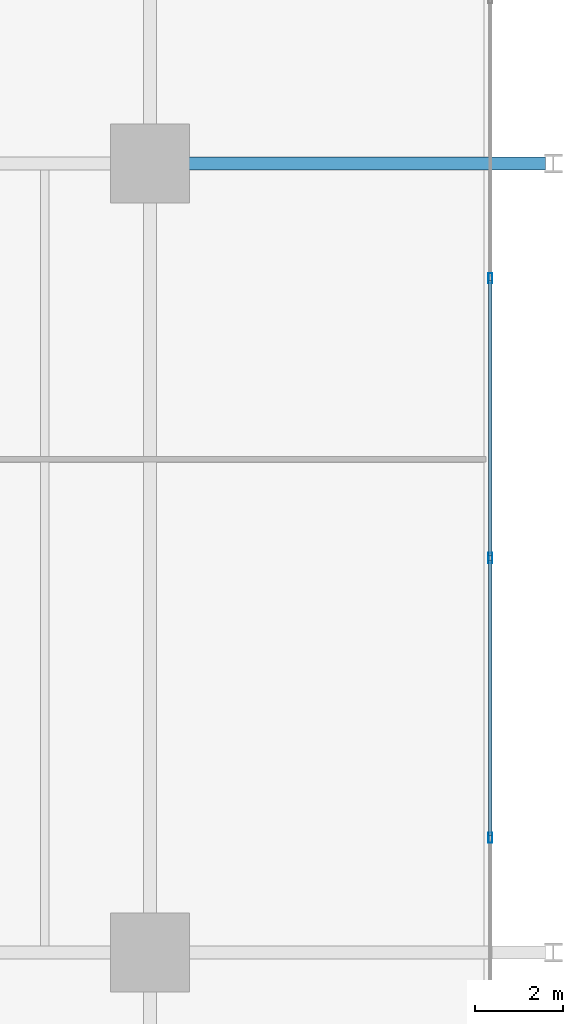
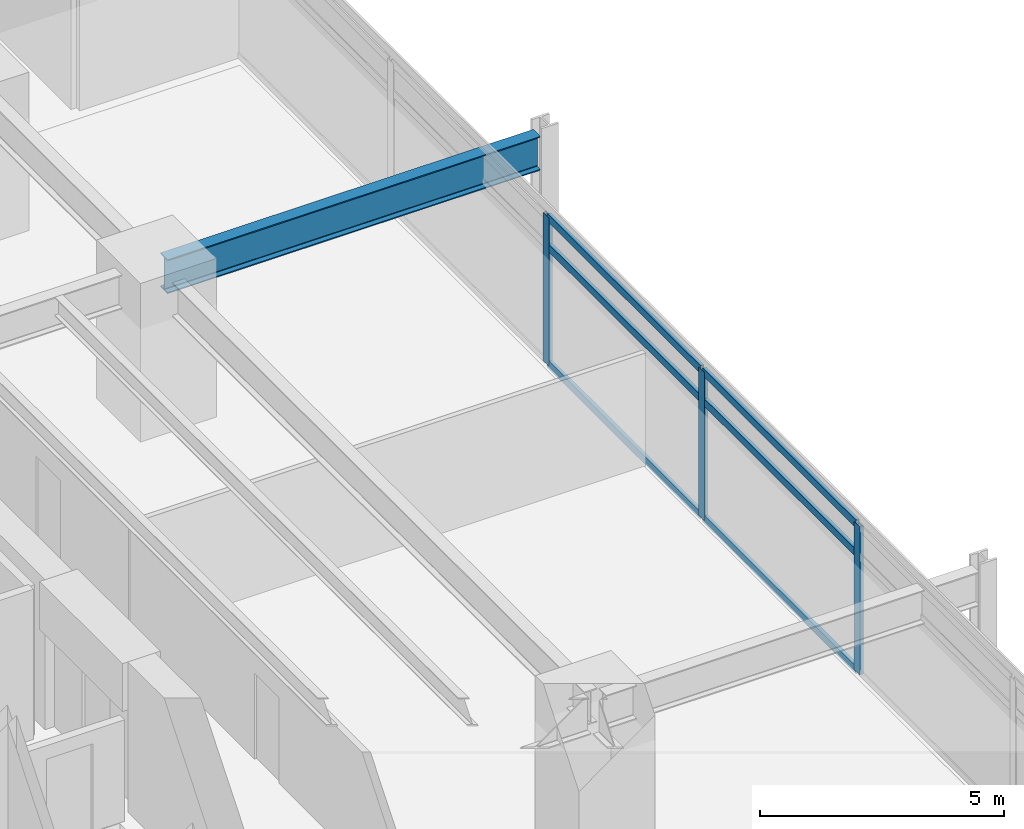
# One storey, part 9 of 20: 9 members, 1 beam, 1 element without a shape of its own.
"""IFC4 building model written with IfcOpenShell, lengths in metres."""

from ifc_helpers import new_model, si_unit, direction, frame, origin, origin_2d, place, context, subcontext, project, spatial, hollow_rectangle, i_section, extrude, material, material_profile, profile_set, type_object, element, aggregate, save


model = new_model("IFC4")

# Units and contexts
model_context = context("Model", 3, precision=1e-05, world=origin(), true_north=direction((0.0, 1.0)))
body_context = subcontext(model_context, "Body", "Model", "MODEL_VIEW")
ifc_project = project(units=[si_unit("LENGTHUNIT", "METRE"), si_unit("AREAUNIT", "SQUARE_METRE"), si_unit("VOLUMEUNIT", "CUBIC_METRE"), si_unit("PLANEANGLEUNIT", "RADIAN"), si_unit("MASSUNIT", "GRAM", prefix="KILO")], contexts=[model_context])

# Site, building, storey
site_placement = place(None, origin())
site = spatial("IfcSite", under=ifc_project, at=site_placement, CompositionType="ELEMENT")
building_placement = place(site_placement, origin())
building = spatial("IfcBuilding", under=site, at=building_placement, Name="Kovane Verandah Tower", CompositionType="ELEMENT")
storey_placement = place(building_placement, frame((0.0, 0.0, 75.60009765625)))
storey = spatial("IfcBuildingStorey", under=building, at=storey_placement, Name="L17", CompositionType="ELEMENT", Elevation=75.60009765625)

# Beam
ifc_material_1 = material(Name="Steel S355", Category="steel")
ifc_material_profile_1 = material_profile(ifc_material_1, i_section(OverallWidth=0.293701171875, OverallDepth=0.850830078125, WebThickness=0.01611328125, FlangeThickness=0.02685546875, FilletRadius=0.017822265625, at=origin_2d()), Name="UB838x292x226")
ifc_profile_set_1 = profile_set([ifc_material_profile_1], Name="Steel S355")
beam_type = type_object("IfcBeamType", Name="BM-UB838x226", PredefinedType="BEAM", material=ifc_profile_set_1)
beam_placement = place(storey_placement, frame((58.580078125, 36.5, 3.33447265625), z_axis=(1.0, 0.0, 0.0), x_axis=(0.0, 1.0, 0.0)))
element("IfcBeam", 1, at=beam_placement, inside=storey, type_object=beam_type, Name="L17 Primary Tower Girder G-VE2", PredefinedType="BEAM", context=body_context, shape_type="SweptSolid", body=[
    extrude(i_section(OverallWidth=0.293701171875, OverallDepth=0.850830078125, WebThickness=0.01611328125, FlangeThickness=0.02685546875, FilletRadius=0.017822265625, at=origin_2d()), origin(), (0.0, 0.0, 1.0), 8.83984375),
])

# Curtain wall, members
ifc_material_2 = material(Name="Champagne Anodised Aluminium Frame with Low-E Clear Laminated Glass", Category="aluminium")
curtain_wall_type = type_object("IfcCurtainWallType", Name="CW-SYS-02-LOW", PredefinedType="NOTDEFINED", material=ifc_material_2)
curtain_wall_placement = place(storey_placement, origin())
curtain_wall = element("IfcCurtainWall", 2, at=curtain_wall_placement, inside=storey, type_object=curtain_wall_type, Name="L17 E Unitised Curtain Wall", PredefinedType="NOTDEFINED")
ifc_material_3 = material(Name="Champagne Anodised Aluminium 6063-T6", Category="aluminium")
ifc_material_profile_2 = material_profile(ifc_material_3, hollow_rectangle(XDim=0.0849609375, YDim=0.22998046875, WallThickness=0.00390625, at=origin_2d()), Name="AL85x230x4")
ifc_profile_set_2 = profile_set([ifc_material_profile_2], Name="Champagne Anodised Aluminium 6063-T6")
member_type_1 = type_object("IfcMemberType", Name="CW-MUL-85x230", PredefinedType="MULLION", material=ifc_profile_set_2)
member_1_placement = place(storey_placement, frame((66.162353515625, 21.115478515625, 0.02001953125), z_axis=(0.0, 0.0, 1.0), x_axis=(1.0, 0.0, 0.0)))
member_1 = element("IfcMember", 3, at=member_1_placement, type_object=member_type_1, Name="L17 E Unitised Curtain Wall Mullion 3", PredefinedType="MULLION", context=body_context, shape_type="SweptSolid", body=[
    extrude(hollow_rectangle(XDim=0.0849609375, YDim=0.22998046875, WallThickness=0.00390625, at=origin_2d()), origin(), (0.0, 0.0, 1.0), 3.719970703125),
])
member_2_placement = place(storey_placement, frame((66.162353515625, 27.5, 0.02001953125), z_axis=(0.0, 0.0, 1.0), x_axis=(1.0, 0.0, 0.0)))
member_2 = element("IfcMember", 4, at=member_2_placement, type_object=member_type_1, Name="L17 E Unitised Curtain Wall Mullion 4", PredefinedType="MULLION", context=body_context, shape_type="SweptSolid", body=[
    extrude(hollow_rectangle(XDim=0.0849609375, YDim=0.22998046875, WallThickness=0.00390625, at=origin_2d()), origin(), (0.0, 0.0, 1.0), 3.719970703125),
])
member_3_placement = place(storey_placement, frame((66.162353515625, 33.884521484375, 0.02001953125), z_axis=(0.0, 0.0, 1.0), x_axis=(1.0, 0.0, 0.0)))
member_3 = element("IfcMember", 5, at=member_3_placement, type_object=member_type_1, Name="L17 E Unitised Curtain Wall Mullion 5", PredefinedType="MULLION", context=body_context, shape_type="SweptSolid", body=[
    extrude(hollow_rectangle(XDim=0.0849609375, YDim=0.22998046875, WallThickness=0.00390625, at=origin_2d()), origin(), (0.0, 0.0, 1.0), 3.719970703125),
])
ifc_material_profile_3 = material_profile(ifc_material_3, hollow_rectangle(XDim=0.0849609375, YDim=0.18994140625, WallThickness=0.00390625, at=origin_2d()), Name="AL85x190x4")
ifc_profile_set_3 = profile_set([ifc_material_profile_3], Name="Champagne Anodised Aluminium 6063-T6")
member_type_2 = type_object("IfcMemberType", Name="CW-TRN-85x190", PredefinedType="USERDEFINED", material=ifc_profile_set_3)
member_4_placement = place(storey_placement, frame((66.162353515625, 21.165283203125, 0.0498046875), z_axis=(0.0, 1.0, 0.0), x_axis=(-1.0, 0.0, 0.0)))
member_4 = element("IfcMember", 6, at=member_4_placement, type_object=member_type_2, Name="L17 E Unitised Curtain Wall Transom TB Bay 3", ObjectType="TRANSOM", PredefinedType="USERDEFINED", context=body_context, shape_type="SweptSolid", body=[
    extrude(hollow_rectangle(XDim=0.0849609375, YDim=0.18994140625, WallThickness=0.00390625, at=origin_2d()), origin(), (0.0, 0.0, 1.0), 6.28466796875),
])
member_5_placement = place(storey_placement, frame((66.162353515625, 21.165283203125, 2.97998046875), z_axis=(0.0, 1.0, 0.0), x_axis=(-1.0, 0.0, 0.0)))
member_5 = element("IfcMember", 7, at=member_5_placement, type_object=member_type_2, Name="L17 E Unitised Curtain Wall Transom TM Bay 3", ObjectType="TRANSOM", PredefinedType="USERDEFINED", context=body_context, shape_type="SweptSolid", body=[
    extrude(hollow_rectangle(XDim=0.0849609375, YDim=0.18994140625, WallThickness=0.00390625, at=origin_2d()), origin(), (0.0, 0.0, 1.0), 6.28466796875),
])
member_6_placement = place(storey_placement, frame((66.162353515625, 21.165283203125, 3.7099609375), z_axis=(0.0, 1.0, 0.0), x_axis=(-1.0, 0.0, 0.0)))
member_6 = element("IfcMember", 8, at=member_6_placement, type_object=member_type_2, Name="L17 E Unitised Curtain Wall Transom TT Bay 3", ObjectType="TRANSOM", PredefinedType="USERDEFINED", context=body_context, shape_type="SweptSolid", body=[
    extrude(hollow_rectangle(XDim=0.0849609375, YDim=0.18994140625, WallThickness=0.00390625, at=origin_2d()), origin(), (0.0, 0.0, 1.0), 6.28466796875),
])
member_7_placement = place(storey_placement, frame((66.162353515625, 27.550048828125, 0.0498046875), z_axis=(0.0, 1.0, 0.0), x_axis=(-1.0, 0.0, 0.0)))
member_7 = element("IfcMember", 9, at=member_7_placement, type_object=member_type_2, Name="L17 E Unitised Curtain Wall Transom TB Bay 4", ObjectType="TRANSOM", PredefinedType="USERDEFINED", context=body_context, shape_type="SweptSolid", body=[
    extrude(hollow_rectangle(XDim=0.0849609375, YDim=0.18994140625, WallThickness=0.00390625, at=origin_2d()), origin(), (0.0, 0.0, 1.0), 6.28466796875),
])
member_8_placement = place(storey_placement, frame((66.162353515625, 27.550048828125, 2.97998046875), z_axis=(0.0, 1.0, 0.0), x_axis=(-1.0, 0.0, 0.0)))
member_8 = element("IfcMember", 10, at=member_8_placement, type_object=member_type_2, Name="L17 E Unitised Curtain Wall Transom TM Bay 4", ObjectType="TRANSOM", PredefinedType="USERDEFINED", context=body_context, shape_type="SweptSolid", body=[
    extrude(hollow_rectangle(XDim=0.0849609375, YDim=0.18994140625, WallThickness=0.00390625, at=origin_2d()), origin(), (0.0, 0.0, 1.0), 6.28466796875),
])
member_9_placement = place(storey_placement, frame((66.162353515625, 27.550048828125, 3.7099609375), z_axis=(0.0, 1.0, 0.0), x_axis=(-1.0, 0.0, 0.0)))
member_9 = element("IfcMember", 11, at=member_9_placement, type_object=member_type_2, Name="L17 E Unitised Curtain Wall Transom TT Bay 4", ObjectType="TRANSOM", PredefinedType="USERDEFINED", context=body_context, shape_type="SweptSolid", body=[
    extrude(hollow_rectangle(XDim=0.0849609375, YDim=0.18994140625, WallThickness=0.00390625, at=origin_2d()), origin(), (0.0, 0.0, 1.0), 6.28466796875),
])
aggregate(curtain_wall, [member_1, member_2, member_3, member_4, member_5, member_6, member_7, member_8, member_9])

save(model, "model.ifc")
